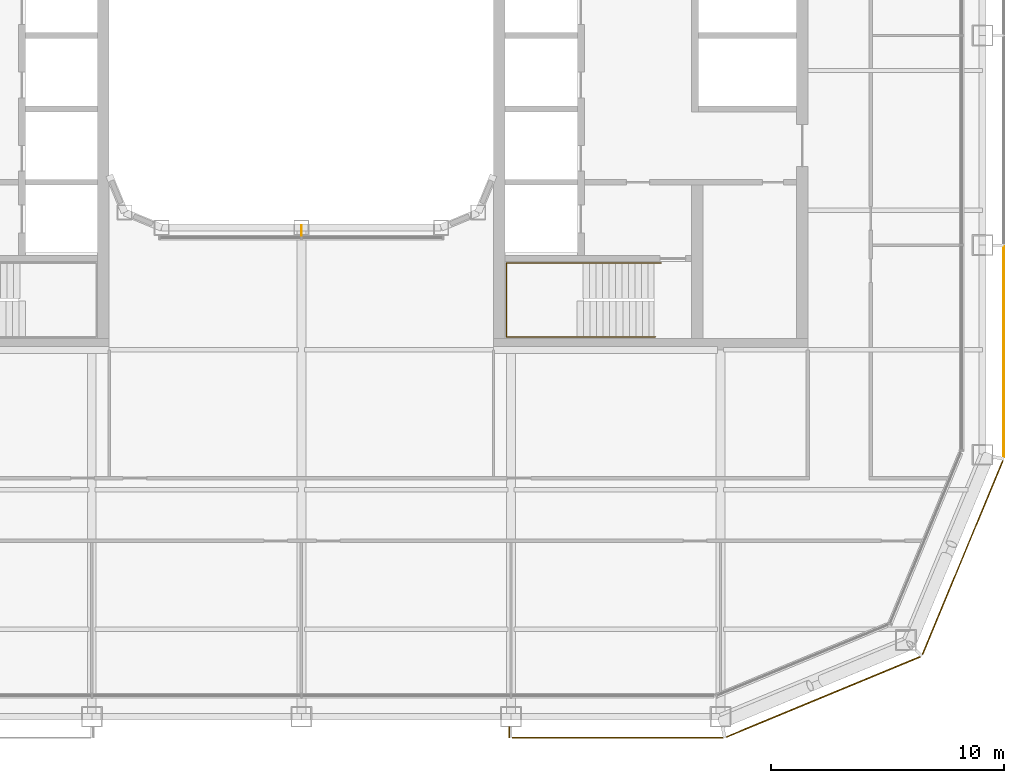
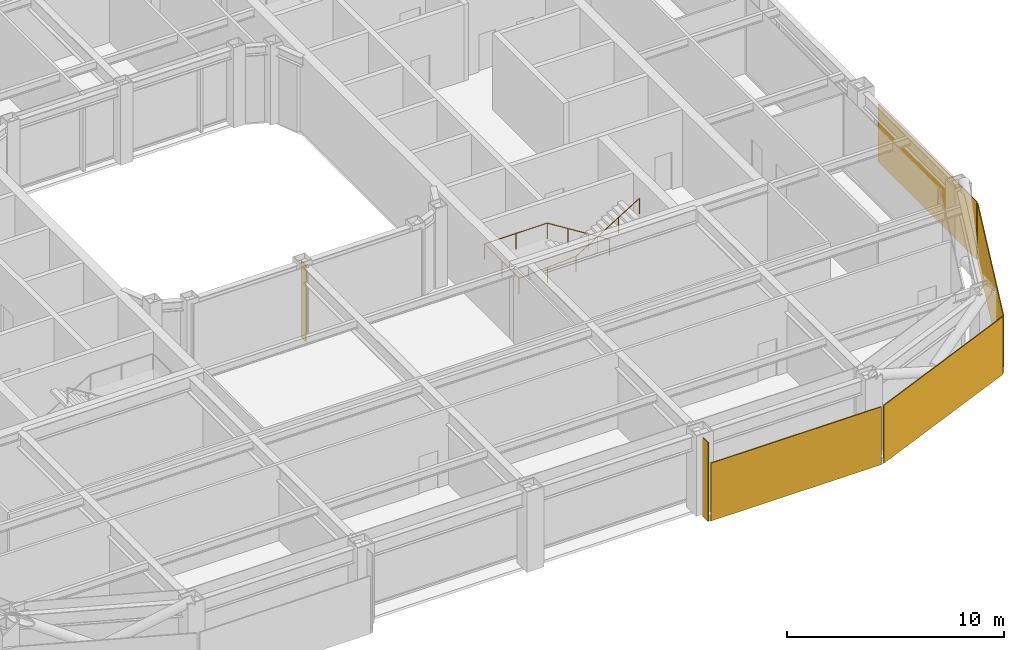
# One storey, part 18 of 21: 5 coverings, 1 railing, 1 shading device.
"""IFC4 building model written with IfcOpenShell, lengths in metres."""

from ifc_helpers import new_model, si_unit, direction, frame, origin, origin_2d, place, context, subcontext, project, spatial, rectangle, circle, extrude, material, layer, layer_set, type_object, element, save


model = new_model("IFC4")

# Units and contexts
model_context = context("Model", 3, precision=1e-05, world=origin(), true_north=direction((0.0, 1.0)))
body_context = subcontext(model_context, "Body", "Model", "MODEL_VIEW")
ifc_project = project(units=[si_unit("LENGTHUNIT", "METRE"), si_unit("AREAUNIT", "SQUARE_METRE"), si_unit("VOLUMEUNIT", "CUBIC_METRE"), si_unit("PLANEANGLEUNIT", "RADIAN"), si_unit("MASSUNIT", "GRAM", prefix="KILO")], contexts=[model_context])

# Site, building, storey
site_placement = place(None, origin())
site = spatial("IfcSite", under=ifc_project, at=site_placement, CompositionType="ELEMENT")
building_placement = place(site_placement, origin())
building = spatial("IfcBuilding", under=site, at=building_placement, Name="Siwar Civic Tower", CompositionType="ELEMENT")
storey_placement = place(building_placement, frame((0.0, 0.0, 176.699951171875)))
storey = spatial("IfcBuildingStorey", under=building, at=storey_placement, Name="L38", CompositionType="ELEMENT", Elevation=176.699951171875)

# Railing
ifc_material_1 = material(Name="Stainless steel", Category="steel")
railing_type = type_object("IfcRailingType", Name="CORE-STAIR-HANDRAIL", PredefinedType="HANDRAIL", material=ifc_material_1)
railing_placement = place(storey_placement, frame((15.449951171875, -9.758056640625, 0.173095703125)))
element("IfcRailing", 1, at=railing_placement, inside=storey, type_object=railing_type, Name="Stair handrail ST4", PredefinedType="HANDRAIL", context=body_context, shape_type="SweptSolid", body=[
    extrude(circle(Radius=0.02001953125, at=origin_2d()), frame((0.0, 0.0, 0.8798828125), z_axis=(-0.847063342986, 0.0, 0.531491950051), x_axis=(0.0, -1.0, 0.0)), (0.0, 0.0, 1.0), 3.90771484375),
    extrude(circle(Radius=0.02001953125, at=origin_2d()), frame((-3.31005859375, 0.0, 2.956787109375), z_axis=(-1.0, 0.0, 0.0), x_axis=(0.0, -1.0, 0.0)), (0.0, 0.0, 1.0), 3.331787109375),
    extrude(circle(Radius=0.02001953125, at=origin_2d()), frame((-6.641845703125, 0.0, 2.956787109375), z_axis=(0.0, -1.0, 0.0), x_axis=(1.0, 0.0, 0.0)), (0.0, 0.0, 1.0), 3.183837890625),
    extrude(circle(Radius=0.02001953125, at=origin_2d()), frame((-6.641845703125, -3.183837890625, 2.956787109375), z_axis=(0.99837434197, 0.0, 0.056997134106), x_axis=(0.0, 1.0, 0.0)), (0.0, 0.0, 1.0), 3.036865234375),
    extrude(circle(Radius=0.02001953125, at=origin_2d()), frame((-3.60986328125, -3.183837890625, 3.1298828125), z_axis=(0.850606129759, 0.0, 0.525803396734), x_axis=(0.0, 1.0, 0.0)), (0.0, 0.0, 1.0), 3.949951171875),
    extrude(circle(Radius=0.02001953125, at=origin_2d()), origin(), (0.0, 0.0, 1.0), 0.85986328125),
    extrude(circle(Radius=0.02001953125, at=origin_2d()), frame((-1.103271484375, 0.0, 0.6923828125)), (0.0, 0.0, 1.0), 0.85986328125),
    extrude(circle(Radius=0.02001953125, at=origin_2d()), frame((-2.206787109375, 0.0, 1.384521484375)), (0.0, 0.0, 1.0), 0.85986328125),
    extrude(circle(Radius=0.02001953125, at=origin_2d()), frame((-3.31005859375, 0.0, 2.076904296875)), (0.0, 0.0, 1.0), 0.85986328125),
    extrude(circle(Radius=0.02001953125, at=origin_2d()), frame((-4.97607421875, 0.0, 2.076904296875)), (0.0, 0.0, 1.0), 0.85986328125),
    extrude(circle(Radius=0.02001953125, at=origin_2d()), frame((-6.641845703125, 0.0, 2.076904296875)), (0.0, 0.0, 1.0), 0.85986328125),
    extrude(circle(Radius=0.02001953125, at=origin_2d()), frame((-6.641845703125, -1.591796875, 2.076904296875)), (0.0, 0.0, 1.0), 0.85986328125),
    extrude(circle(Radius=0.02001953125, at=origin_2d()), frame((-6.641845703125, -3.183837890625, 2.076904296875)), (0.0, 0.0, 1.0), 0.85986328125),
    extrude(circle(Radius=0.02001953125, at=origin_2d()), frame((-5.1259765625, -3.183837890625, 2.16357421875)), (0.0, 0.0, 1.0), 0.85986328125),
    extrude(circle(Radius=0.02001953125, at=origin_2d()), frame((-3.60986328125, -3.183837890625, 2.25)), (0.0, 0.0, 1.0), 0.85986328125),
    extrude(circle(Radius=0.02001953125, at=origin_2d()), frame((-2.489990234375, -3.183837890625, 2.9423828125)), (0.0, 0.0, 1.0), 0.85986328125),
    extrude(circle(Radius=0.02001953125, at=origin_2d()), frame((-1.369873046875, -3.183837890625, 3.634521484375)), (0.0, 0.0, 1.0), 0.85986328125),
    extrude(circle(Radius=0.02001953125, at=origin_2d()), frame((-0.25, -3.183837890625, 4.326904296875)), (0.0, 0.0, 1.0), 0.85986328125),
])

# Shading device
ifc_material_2 = material(Name="Aluminium 6063-T6", Category="aluminium")
ifc_layer_1 = layer(ifc_material_2, 0.02001953125)
ifc_layer_set_1 = layer_set([ifc_layer_1], Name="Aluminium 6063-T6")
shading_device_type = type_object("IfcShadingDeviceType", Name="ENV-FIN", PredefinedType="JALOUSIE", material=ifc_layer_set_1)
shading_device_placement = place(storey_placement, frame((0.0, -8.3701171875, 0.0), z_axis=(0.0, 0.0, 1.0), x_axis=(1.0, 0.0, 0.0)))
element("IfcShadingDevice", 2, at=shading_device_placement, inside=storey, type_object=shading_device_type, Name="SUNSHADE fin WS 1", PredefinedType="JALOUSIE", context=body_context, shape_type="SweptSolid", body=[
    extrude(rectangle(XDim=0.02001953125, YDim=0.449951171875, at=origin_2d()), origin(), (0.0, 0.0, 1.0), 4.300048828125),
])

# Coverings
ifc_material_3 = material(Name="Perforated aluminium cassette, pale metal", Category="aluminium")
ifc_layer_2 = layer(ifc_material_3, 0.0400390625)
ifc_layer_set_2 = layer_set([ifc_layer_2], Name="Perforated aluminium cassette, pale metal")
covering_type_1 = type_object("IfcCoveringType", Name="ENV-OUTER SKIN OS-1", PredefinedType="CLADDING", material=ifc_layer_set_2)
covering_1_placement = place(storey_placement, frame((30.14990234375, -13.57958984375, -0.14990234375), z_axis=(0.0, 0.0, 1.0), x_axis=(0.0, 1.0, 0.0)))
element("IfcCovering", 3, at=covering_1_placement, inside=storey, type_object=covering_type_1, Name="OUTER SKIN OS-1 E 1", PredefinedType="CLADDING", context=body_context, shape_type="SweptSolid", body=[
    extrude(rectangle(XDim=9.05908203125, YDim=0.0400390625, at=origin_2d()), origin(), (0.0, 0.0, 1.0), 3.25),
])
ifc_material_4 = material(Name="Perforated aluminium cassette, pale metal", Category="aluminium")
ifc_layer_3 = layer(ifc_material_4, 0.044921875)
ifc_layer_set_3 = layer_set([ifc_layer_3], Name="Perforated aluminium cassette, pale metal")
covering_type_2 = type_object("IfcCoveringType", Name="ENV-OUTER SKIN OS-2", PredefinedType="CLADDING", material=ifc_layer_set_3)
covering_2_placement = place(storey_placement, frame((28.39697265625, -22.411376953125, -0.14990234375), z_axis=(0.0, 0.0, 1.0), x_axis=(0.382683432365, 0.923879532511, 0.0)))
element("IfcCovering", 4, at=covering_2_placement, inside=storey, type_object=covering_type_2, Name="OUTER SKIN OS-2 SE2 1", PredefinedType="CLADDING", context=body_context, shape_type="SweptSolid", body=[
    extrude(rectangle(XDim=9.022216796875, YDim=0.044921875, at=origin_2d()), origin(), (0.0, 0.0, 1.0), 3.25),
])
ifc_material_5 = material(Name="Perforated aluminium cassette, pale metal", Category="aluminium")
ifc_layer_4 = layer(ifc_material_5, 0.050048828125)
ifc_layer_set_4 = layer_set([ifc_layer_4], Name="Perforated aluminium cassette, pale metal")
covering_type_3 = type_object("IfcCoveringType", Name="ENV-OUTER SKIN OS-3", PredefinedType="CLADDING", material=ifc_layer_set_4)
covering_3_placement = place(storey_placement, frame((22.411376953125, -28.39697265625, -0.14990234375), z_axis=(0.0, 0.0, 1.0), x_axis=(0.923879532511, 0.382683432365, 0.0)))
element("IfcCovering", 5, at=covering_3_placement, inside=storey, type_object=covering_type_3, Name="OUTER SKIN OS-3 SE1 1", PredefinedType="CLADDING", context=body_context, shape_type="SweptSolid", body=[
    extrude(rectangle(XDim=9.022216796875, YDim=0.050048828125, at=origin_2d()), origin(), (0.0, 0.0, 1.0), 3.25),
])
ifc_material_6 = material(Name="Perforated aluminium cassette, pale metal", Category="aluminium")
ifc_layer_5 = layer(ifc_material_6, 0.054931640625)
ifc_layer_set_5 = layer_set([ifc_layer_5], Name="Perforated aluminium cassette, pale metal")
covering_type_4 = type_object("IfcCoveringType", Name="ENV-OUTER SKIN OS-4", PredefinedType="CLADDING", material=ifc_layer_set_5)
covering_4_placement = place(storey_placement, frame((13.57958984375, -30.14990234375, -0.14990234375), z_axis=(0.0, 0.0, 1.0), x_axis=(1.0, 0.0, 0.0)))
element("IfcCovering", 6, at=covering_4_placement, inside=storey, type_object=covering_type_4, Name="OUTER SKIN OS-4 S 4", PredefinedType="CLADDING", context=body_context, shape_type="SweptSolid", body=[
    extrude(rectangle(XDim=9.05908203125, YDim=0.054931640625, at=origin_2d()), origin(), (0.0, 0.0, 1.0), 3.25),
])
ifc_material_7 = material(Name="Perforated aluminium cassette, pale metal", Category="aluminium")
ifc_layer_6 = layer(ifc_material_7, 0.050048828125)
ifc_layer_set_6 = layer_set([ifc_layer_6], Name="Perforated aluminium cassette, pale metal")
covering_type_5 = type_object("IfcCoveringType", Name="ENV-PORTAL FRAME", PredefinedType="CLADDING", material=ifc_layer_set_6)
covering_5_placement = place(storey_placement, frame((8.925048828125, -29.9150390625, -0.14990234375), z_axis=(0.0, 0.0, 1.0), x_axis=(1.0, 0.0, 0.0)))
element("IfcCovering", 7, at=covering_5_placement, inside=storey, type_object=covering_type_5, Name="PORTAL FRAME return plate S L38", PredefinedType="CLADDING", context=body_context, shape_type="SweptSolid", body=[
    extrude(rectangle(XDim=0.050048828125, YDim=0.469970703125, at=origin_2d()), origin(), (0.0, 0.0, 1.0), 4.449951171875),
])

save(model, "model.ifc")
